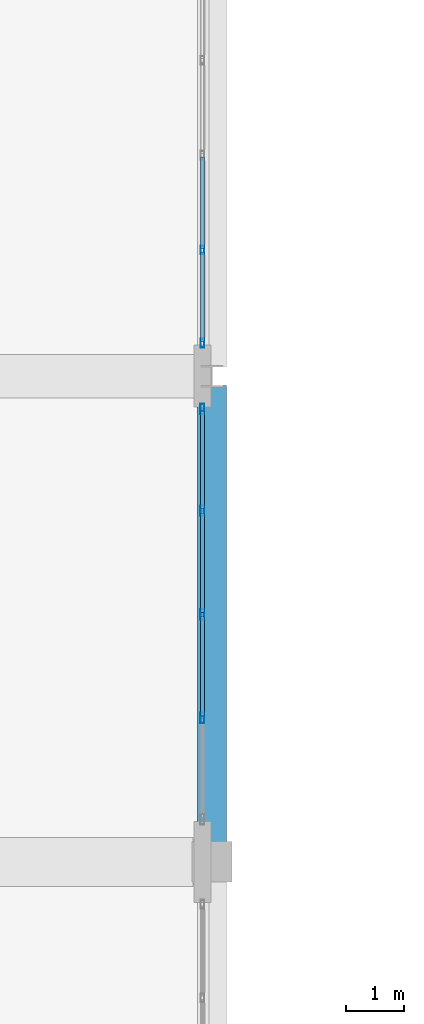
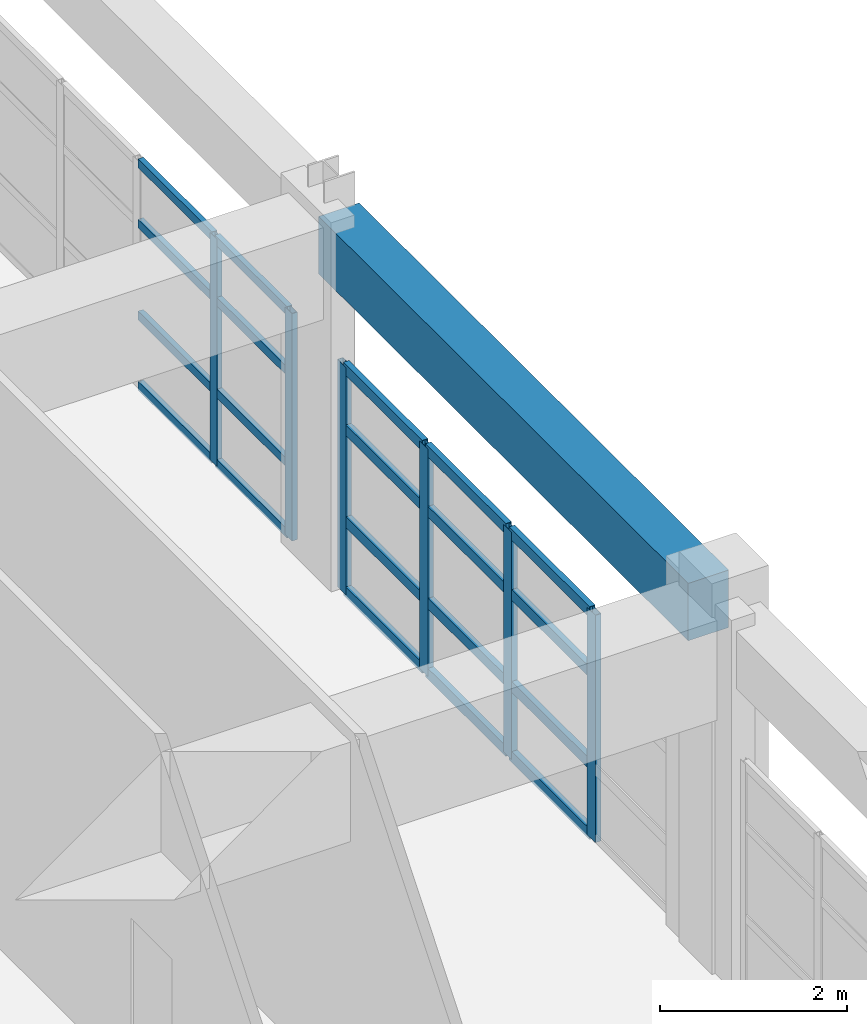
# One storey, part 16 of 103: 26 members, 1 beam, 2 elements without a shape of their own.
"""IFC4 building model written with IfcOpenShell, lengths in metres."""

import ifcopenshell
import ifcopenshell.guid

model = None  # the IFC model being written
_history = None  # IfcOwnerHistory: only IFC2X3 demands one
_inside = {}  # id of a spatial element -> (the spatial element, [elements in it])
_under = {}  # id of a project, library or spatial element -> (it, [spatial elements below it])
_declared = {}  # id of a project -> (the project, [libraries it declares])
_typed = {}  # id of a type object -> (the type object, [elements of that type])
_made_of = {}  # id of a material, layer set ... -> (it, [elements and type objects made of it])


def new_model(schema):
    """Start an empty IFC model of exactly this schema.

    Asked for "IFC4X3", IfcOpenShell would pick the latest addendum, in which some entities
    have other attributes; the version numbers below select the first issue.
    IFC2X3 requires an IfcOwnerHistory on every rooted entity: one is made here for all.
    """
    global model, _history
    if schema == "IFC4X3":
        model = ifcopenshell.file(schema_version=(4, 3, 0, 0))
    else:
        model = ifcopenshell.file(schema=schema)
    _inside.clear()
    _under.clear()
    _declared.clear()
    _typed.clear()
    _made_of.clear()
    _history = None
    if model.schema == "IFC2X3":
        org = make("IfcOrganization", Name="unknown")
        user = make(
            "IfcPersonAndOrganization",
            ThePerson=make("IfcPerson", FamilyName="unknown"),
            TheOrganization=org,
        )
        app = make(
            "IfcApplication",
            ApplicationDeveloper=org,
            Version="unknown",
            ApplicationFullName="unknown",
            ApplicationIdentifier="unknown",
        )
        _history = make(
            "IfcOwnerHistory",
            OwningUser=user,
            OwningApplication=app,
            ChangeAction="ADDED",
            CreationDate=0,
        )
    return model


def make(cls, **values):
    """One entity of the class cls with the attributes given. An attribute that is None is left unset."""
    return model.create_entity(
        cls, **{name: value for name, value in values.items() if value is not None}
    )


def rooted(cls, **values):
    """An entity with a GlobalId (a new one), such as an element, a storey or a relation."""
    return make(cls, GlobalId=ifcopenshell.guid.new(), OwnerHistory=_history, **values)


def si_unit(unit_type, name, prefix=None):
    """IfcSIUnit, for example si_unit("LENGTHUNIT", "METRE", prefix="MILLI")."""
    return make("IfcSIUnit", UnitType=unit_type, Prefix=prefix, Name=name)


def assignment(units):
    """IfcUnitAssignment: the units of a project."""
    return None if units is None else make("IfcUnitAssignment", Units=units)


def point(xyz):
    """IfcCartesianPoint."""
    return None if xyz is None else make("IfcCartesianPoint", Coordinates=xyz)


def direction(xyz):
    """IfcDirection."""
    return None if xyz is None else make("IfcDirection", DirectionRatios=xyz)


def frame(location, z_axis=None, x_axis=None):
    """IfcAxis2Placement3D, a coordinate frame: its origin and axes. An axis left out is left unset."""
    return make(
        "IfcAxis2Placement3D",
        Location=point(location),
        Axis=direction(z_axis),
        RefDirection=direction(x_axis),
    )


def frame_2d(location, x_axis=None):
    """IfcAxis2Placement2D, a coordinate frame in the plane: its origin and x axis."""
    return make(
        "IfcAxis2Placement2D", Location=point(location), RefDirection=direction(x_axis)
    )


def origin():
    """The frame at (0, 0, 0) with its axes left unset."""
    return frame((0.0, 0.0, 0.0))


def origin_2d():
    """The frame at (0, 0) in the plane with its x axis left unset."""
    return frame_2d((0.0, 0.0))


def place(relative_to, where):
    """IfcLocalPlacement: puts the frame where relative to a parent placement (None: the world)."""
    return make(
        "IfcLocalPlacement", PlacementRelTo=relative_to, RelativePlacement=where
    )


def context(
    kind, dimensions, precision=None, world=None, true_north=None, identifier=None
):
    """IfcGeometricRepresentationContext, for example the 3D "Model" context."""
    return make(
        "IfcGeometricRepresentationContext",
        ContextIdentifier=identifier,
        ContextType=kind,
        CoordinateSpaceDimension=dimensions,
        Precision=precision,
        WorldCoordinateSystem=world,
        TrueNorth=true_north,
    )


def subcontext(parent, identifier, kind, view, scale=None):
    """IfcGeometricRepresentationSubContext, for example "Body" below "Model"."""
    return make(
        "IfcGeometricRepresentationSubContext",
        ContextIdentifier=identifier,
        ContextType=kind,
        ParentContext=parent,
        TargetScale=scale,
        TargetView=view,
    )


def project(units=None, contexts=None):
    """IfcProject with its units and contexts."""
    return rooted(
        "IfcProject",
        Name="project",
        RepresentationContexts=contexts,
        UnitsInContext=assignment(units),
    )


def spatial(cls, under=None, at=None, **own):
    """A site, building, storey or space (cls), placed at a placement, below another one or the project."""
    s = rooted(cls, ObjectPlacement=at, **own)
    if under is not None:
        _under.setdefault(under.id(), (under, []))[1].append(s)
    return s


def profile(cls, at=None, kind="AREA", **sizes):
    """A parametric profile (cls). Its sizes go by their IFC names, for example OverallWidth=200.0."""
    return make(cls, ProfileType=kind, Position=at, **sizes)


def rectangle(**sizes):
    """IfcRectangleProfileDef."""
    return profile("IfcRectangleProfileDef", **sizes)


def hollow_rectangle(**sizes):
    """IfcRectangleHollowProfileDef."""
    return profile("IfcRectangleHollowProfileDef", **sizes)


def extrude(swept, where, along, depth):
    """IfcExtrudedAreaSolid: the profile swept, set in the frame where, extruded along a direction by depth."""
    return make(
        "IfcExtrudedAreaSolid",
        SweptArea=swept,
        Position=where,
        ExtrudedDirection=direction(along),
        Depth=depth,
    )


def shape(context_of_items, identifier, shape_type, items):
    """IfcShapeRepresentation: the items that make up one representation, for example the "Body"."""
    return make(
        "IfcShapeRepresentation",
        ContextOfItems=context_of_items,
        RepresentationIdentifier=identifier,
        RepresentationType=shape_type,
        Items=items,
    )


def material(Name=None, Category=None):
    """IfcMaterial."""
    return make("IfcMaterial", Name=Name, Category=Category)


def layer(
    of_material, thickness, ventilated=None, Name=None, Category=None, Priority=None
):
    """IfcMaterialLayer: one layer of a wall or slab, of a material (None: an air gap)."""
    return make(
        "IfcMaterialLayer",
        Material=of_material,
        LayerThickness=thickness,
        IsVentilated=ventilated,
        Name=Name,
        Category=Category,
        Priority=Priority,
    )


def layer_set(layers, Name=None):
    """IfcMaterialLayerSet."""
    return make("IfcMaterialLayerSet", MaterialLayers=layers, LayerSetName=Name)


def material_profile(
    of_material, cross_section, Name=None, Category=None, Priority=None
):
    """IfcMaterialProfile: a cross section and its material."""
    return make(
        "IfcMaterialProfile",
        Name=Name,
        Material=of_material,
        Profile=cross_section,
        Priority=Priority,
        Category=Category,
    )


def profile_set(profiles, Name=None, composite=None):
    """IfcMaterialProfileSet."""
    return make(
        "IfcMaterialProfileSet",
        Name=Name,
        MaterialProfiles=profiles,
        CompositeProfile=composite,
    )


def made_of(thing, what):
    """Note that an element or type object is made of a material, layer set ...; save() writes the relation."""
    if what is not None:
        _made_of.setdefault(what.id(), (what, []))[1].append(thing)
    return thing


def type_object(cls, material=None, **own):
    """A type object (cls), such as IfcWallType, which elements share."""
    return made_of(rooted(cls, **own), material)


def element(
    cls,
    number,
    at=None,
    inside=None,
    cuts=None,
    type_object=None,
    material=None,
    context=None,
    identifier="Body",
    shape_type=None,
    held_by="IfcProductDefinitionShape",
    body=None,
    shapes=None,
    **own,
):
    """One element of the class cls, such as IfcWall. Its Tag is "e" and its number.

    at: its placement. inside: the storey or other place that contains it. cuts: it is an
    opening in that element (IfcRelVoidsElement). A single representation is given by context,
    identifier, shape_type and body (its items); several are given by shapes. held_by: the class
    of the entity that holds the representations. save() writes the other relations.
    """
    e = rooted(cls, Tag="e%d" % number, ObjectPlacement=at, **own)
    if body is not None:
        shapes = [shape(context, identifier, shape_type, body)]
    if shapes is not None:
        e.Representation = make(held_by, Representations=shapes)
    if inside is not None:
        _inside.setdefault(inside.id(), (inside, []))[1].append(e)
    if cuts is not None:
        rooted(
            "IfcRelVoidsElement", RelatingBuildingElement=cuts, RelatedOpeningElement=e
        )
    if type_object is not None:
        _typed.setdefault(type_object.id(), (type_object, []))[1].append(e)
    return made_of(e, material)


def aggregate(whole, parts):
    """IfcRelAggregates: a whole, such as a stair, and the parts it consists of."""
    return rooted("IfcRelAggregates", RelatingObject=whole, RelatedObjects=parts)


def save(model, path):
    """Write the relations noted so far, then the file.

    IfcRelAggregates (storeys below a building ...), IfcRelContainedInSpatialStructure (elements
    in a storey), IfcRelDefinesByType, IfcRelAssociatesMaterial and IfcRelDeclares: one each for
    every whole, place, type object, material and project.
    """
    for whole, parts in _under.values():
        aggregate(whole, parts)
    for where, things in _inside.values():
        rooted(
            "IfcRelContainedInSpatialStructure",
            RelatedElements=things,
            RelatingStructure=where,
        )
    for kind, things in _typed.values():
        rooted("IfcRelDefinesByType", RelatedObjects=things, RelatingType=kind)
    for what, things in _made_of.values():
        rooted("IfcRelAssociatesMaterial", RelatedObjects=things, RelatingMaterial=what)
    for by, libraries in _declared.values():
        rooted("IfcRelDeclares", RelatingContext=by, RelatedDefinitions=libraries)
    model.write(path)


model = new_model("IFC4")

# Units and contexts
model_context = context("Model", 3, precision=1e-05, world=origin(), true_north=direction((0.0, 1.0)))
body_context = subcontext(model_context, "Body", "Model", "MODEL_VIEW")
ifc_project = project(units=[si_unit("LENGTHUNIT", "METRE"), si_unit("AREAUNIT", "SQUARE_METRE"), si_unit("VOLUMEUNIT", "CUBIC_METRE"), si_unit("PLANEANGLEUNIT", "RADIAN"), si_unit("MASSUNIT", "GRAM", prefix="KILO")], contexts=[model_context])

# Site, building, storey
site_placement = place(None, origin())
site = spatial("IfcSite", under=ifc_project, at=site_placement, CompositionType="ELEMENT")
building_placement = place(site_placement, origin())
building = spatial("IfcBuilding", under=site, at=building_placement, Name="Quendrovan Civic Courthouse", CompositionType="ELEMENT")
storey_placement = place(building_placement, frame((0.0, 0.0, 15.300048828125)))
storey = spatial("IfcBuildingStorey", under=building, at=storey_placement, Name="L04", CompositionType="ELEMENT", Elevation=15.300048828125)

# Beam
ifc_material_1 = material(Name="Concrete C40/50", Category="concrete")
ifc_material_profile_1 = material_profile(ifc_material_1, rectangle(XDim=0.5, YDim=0.75, at=origin_2d()), Name="RC-BM-500x750")
ifc_profile_set_1 = profile_set([ifc_material_profile_1], Name="Concrete C40/50")
beam_type = type_object("IfcBeamType", Name="BM-RC750", PredefinedType="SPANDREL", material=ifc_profile_set_1)
beam_placement = place(storey_placement, frame((16.800048828125, 31.530029296875, 4.284912109375), z_axis=(0.0, 1.0, 0.0), x_axis=(-1.0, 0.0, 0.0)))
element("IfcBeam", 1, at=beam_placement, inside=storey, type_object=beam_type, Name="L04 Girder Y0955", PredefinedType="SPANDREL", context=body_context, shape_type="SweptSolid", body=[
    extrude(rectangle(XDim=0.5, YDim=0.75, at=origin_2d()), origin(), (0.0, 0.0, 1.0), 7.904052734375),
])

# Curtain wall, members
ifc_material_2 = material(Name="Bronze anodised aluminium and low-E glass", Category="aluminium")
ifc_layer_1 = layer(ifc_material_2, 0.179931640625, Name="Bronze anodised aluminium and low-E glass")
ifc_layer_set_1 = layer_set([ifc_layer_1], Name="Bronze anodised aluminium and low-E glass")
curtain_wall_type_1 = type_object("IfcCurtainWallType", Name="CW-U72x30", PredefinedType="USERDEFINED", material=ifc_layer_set_1)
curtain_wall_1_placement = place(storey_placement, origin())
curtain_wall_1 = element("IfcCurtainWall", 2, at=curtain_wall_1_placement, inside=storey, type_object=curtain_wall_type_1, Name="L04 Unitised Hurricane Curtain Wall CW-152", ObjectType="UNITISED CURTAIN WALL", PredefinedType="USERDEFINED")
ifc_material_3 = material(Name="Bronze anodised aluminium", Category="aluminium")
ifc_material_profile_2 = material_profile(ifc_material_3, hollow_rectangle(XDim=0.070068359375, YDim=0.179931640625, WallThickness=0.00390625, at=origin_2d()), Name="CW-MULL-70x180")
ifc_profile_set_2 = profile_set([ifc_material_profile_2], Name="Bronze anodised aluminium")
member_type_1 = type_object("IfcMemberType", Name="CW-MULL-A", PredefinedType="MULLION", material=ifc_profile_set_2)
member_1_placement = place(storey_placement, frame((16.635009765625, 39.028076171875, 0.0), z_axis=(0.0, 0.0, 1.0), x_axis=(1.0, 0.0, 0.0)))
member_1 = element("IfcMember", 3, at=member_1_placement, type_object=member_type_1, Name="CW-152 mullion 1", PredefinedType="MULLION", context=body_context, shape_type="SweptSolid", body=[
    extrude(hollow_rectangle(XDim=0.070068359375, YDim=0.179931640625, WallThickness=0.00390625, at=origin_2d()), origin(), (0.0, 0.0, 1.0), 2.969970703125),
])
member_2_placement = place(storey_placement, frame((16.635009765625, 37.272216796875, 0.0), z_axis=(0.0, 0.0, 1.0), x_axis=(1.0, 0.0, 0.0)))
member_2 = element("IfcMember", 4, at=member_2_placement, type_object=member_type_1, Name="CW-152 mullion 2", PredefinedType="MULLION", context=body_context, shape_type="SweptSolid", body=[
    extrude(hollow_rectangle(XDim=0.070068359375, YDim=0.179931640625, WallThickness=0.00390625, at=origin_2d()), origin(), (0.0, 0.0, 1.0), 2.969970703125),
])
member_3_placement = place(storey_placement, frame((16.635009765625, 35.4814453125, 0.0), z_axis=(0.0, 0.0, 1.0), x_axis=(1.0, 0.0, 0.0)))
member_3 = element("IfcMember", 5, at=member_3_placement, type_object=member_type_1, Name="CW-152 mullion 3", PredefinedType="MULLION", context=body_context, shape_type="SweptSolid", body=[
    extrude(hollow_rectangle(XDim=0.070068359375, YDim=0.179931640625, WallThickness=0.00390625, at=origin_2d()), origin(), (0.0, 0.0, 1.0), 2.969970703125),
])
member_4_placement = place(storey_placement, frame((16.635009765625, 33.690673828125, 0.0), z_axis=(0.0, 0.0, 1.0), x_axis=(1.0, 0.0, 0.0)))
member_4 = element("IfcMember", 6, at=member_4_placement, type_object=member_type_1, Name="CW-152 mullion 4", PredefinedType="MULLION", context=body_context, shape_type="SweptSolid", body=[
    extrude(hollow_rectangle(XDim=0.070068359375, YDim=0.179931640625, WallThickness=0.00390625, at=origin_2d()), origin(), (0.0, 0.0, 1.0), 2.969970703125),
])

ifc_layer_2 = layer(ifc_material_2, 0.179931640625, Name="Bronze anodised aluminium and low-E glass")
ifc_layer_set_2 = layer_set([ifc_layer_2], Name="Bronze anodised aluminium and low-E glass")
curtain_wall_type_2 = type_object("IfcCurtainWallType", Name="CW-U66x30", PredefinedType="USERDEFINED", material=ifc_layer_set_2)
curtain_wall_2_placement = place(storey_placement, origin())
curtain_wall_2 = element("IfcCurtainWall", 7, at=curtain_wall_2_placement, inside=storey, type_object=curtain_wall_type_2, Name="L04 Unitised Hurricane Curtain Wall CW-151", ObjectType="UNITISED CURTAIN WALL", PredefinedType="USERDEFINED")
ifc_material_profile_3 = material_profile(ifc_material_3, hollow_rectangle(XDim=0.06494140625, YDim=0.14990234375, WallThickness=0.00390625, at=origin_2d()), Name="CW-MULL-65x150")
ifc_profile_set_3 = profile_set([ifc_material_profile_3], Name="Bronze anodised aluminium")
member_type_2 = type_object("IfcMemberType", Name="CW-MULL-B", PredefinedType="MULLION", material=ifc_profile_set_3)
member_5_placement = place(storey_placement, frame((16.635009765625, 41.77783203125, 0.0), z_axis=(0.0, 0.0, 1.0), x_axis=(1.0, 0.0, 0.0)))
member_5 = element("IfcMember", 8, at=member_5_placement, type_object=member_type_2, Name="CW-151 mullion 4", PredefinedType="MULLION", context=body_context, shape_type="SweptSolid", body=[
    extrude(hollow_rectangle(XDim=0.06494140625, YDim=0.14990234375, WallThickness=0.00390625, at=origin_2d()), origin(), (0.0, 0.0, 1.0), 2.969970703125),
])
member_6_placement = place(storey_placement, frame((16.635009765625, 40.16943359375, 0.0), z_axis=(0.0, 0.0, 1.0), x_axis=(1.0, 0.0, 0.0)))
member_6 = element("IfcMember", 9, at=member_6_placement, type_object=member_type_2, Name="CW-151 mullion 5", PredefinedType="MULLION", context=body_context, shape_type="SweptSolid", body=[
    extrude(hollow_rectangle(XDim=0.06494140625, YDim=0.14990234375, WallThickness=0.00390625, at=origin_2d()), origin(), (0.0, 0.0, 1.0), 2.969970703125),
])

# Member
ifc_material_profile_4 = material_profile(ifc_material_3, hollow_rectangle(XDim=0.070068359375, YDim=0.139892578125, WallThickness=0.00390625, at=origin_2d()), Name="CW-TRAN-70x140")
ifc_profile_set_4 = profile_set([ifc_material_profile_4], Name="Bronze anodised aluminium")
member_type_3 = type_object("IfcMemberType", Name="CW-TRAN-A", PredefinedType="USERDEFINED", material=ifc_profile_set_4)
member_7_placement = place(storey_placement, frame((16.635009765625, 38.992919921875, 0.034912109375), z_axis=(0.0, -1.0, 0.0), x_axis=(1.0, 0.0, 0.0)))
member_7 = element("IfcMember", 10, at=member_7_placement, type_object=member_type_3, Name="CW-152 transom 1.1", ObjectType="TRANSOM", PredefinedType="USERDEFINED", context=body_context, shape_type="SweptSolid", body=[
    extrude(hollow_rectangle(XDim=0.070068359375, YDim=0.139892578125, WallThickness=0.00390625, at=origin_2d()), origin(), (0.0, 0.0, 1.0), 1.685791015625),
])

member_8_placement = place(storey_placement, frame((16.635009765625, 38.992919921875, 0.949951171875), z_axis=(0.0, -1.0, 0.0), x_axis=(1.0, 0.0, 0.0)))
member_8 = element("IfcMember", 11, at=member_8_placement, type_object=member_type_3, Name="CW-152 transom 1.2", ObjectType="TRANSOM", PredefinedType="USERDEFINED", context=body_context, shape_type="SweptSolid", body=[
    extrude(hollow_rectangle(XDim=0.070068359375, YDim=0.139892578125, WallThickness=0.00390625, at=origin_2d()), origin(), (0.0, 0.0, 1.0), 1.685791015625),
])

member_9_placement = place(storey_placement, frame((16.635009765625, 38.992919921875, 2.14990234375), z_axis=(0.0, -1.0, 0.0), x_axis=(1.0, 0.0, 0.0)))
member_9 = element("IfcMember", 12, at=member_9_placement, type_object=member_type_3, Name="CW-152 transom 1.3", ObjectType="TRANSOM", PredefinedType="USERDEFINED", context=body_context, shape_type="SweptSolid", body=[
    extrude(hollow_rectangle(XDim=0.070068359375, YDim=0.139892578125, WallThickness=0.00390625, at=origin_2d()), origin(), (0.0, 0.0, 1.0), 1.685791015625),
])

member_10_placement = place(storey_placement, frame((16.635009765625, 38.992919921875, 2.93505859375), z_axis=(0.0, -1.0, 0.0), x_axis=(1.0, 0.0, 0.0)))
member_10 = element("IfcMember", 13, at=member_10_placement, type_object=member_type_3, Name="CW-152 transom 1.4", ObjectType="TRANSOM", PredefinedType="USERDEFINED", context=body_context, shape_type="SweptSolid", body=[
    extrude(hollow_rectangle(XDim=0.070068359375, YDim=0.139892578125, WallThickness=0.00390625, at=origin_2d()), origin(), (0.0, 0.0, 1.0), 1.685791015625),
])

member_11_placement = place(storey_placement, frame((16.635009765625, 37.2373046875, 0.034912109375), z_axis=(0.0, -1.0, 0.0), x_axis=(1.0, 0.0, 0.0)))
member_11 = element("IfcMember", 14, at=member_11_placement, type_object=member_type_3, Name="CW-152 transom 2.1", ObjectType="TRANSOM", PredefinedType="USERDEFINED", context=body_context, shape_type="SweptSolid", body=[
    extrude(hollow_rectangle(XDim=0.070068359375, YDim=0.139892578125, WallThickness=0.00390625, at=origin_2d()), origin(), (0.0, 0.0, 1.0), 1.720703125),
])

member_12_placement = place(storey_placement, frame((16.635009765625, 37.2373046875, 0.949951171875), z_axis=(0.0, -1.0, 0.0), x_axis=(1.0, 0.0, 0.0)))
member_12 = element("IfcMember", 15, at=member_12_placement, type_object=member_type_3, Name="CW-152 transom 2.2", ObjectType="TRANSOM", PredefinedType="USERDEFINED", context=body_context, shape_type="SweptSolid", body=[
    extrude(hollow_rectangle(XDim=0.070068359375, YDim=0.139892578125, WallThickness=0.00390625, at=origin_2d()), origin(), (0.0, 0.0, 1.0), 1.720703125),
])

member_13_placement = place(storey_placement, frame((16.635009765625, 37.2373046875, 2.14990234375), z_axis=(0.0, -1.0, 0.0), x_axis=(1.0, 0.0, 0.0)))
member_13 = element("IfcMember", 16, at=member_13_placement, type_object=member_type_3, Name="CW-152 transom 2.3", ObjectType="TRANSOM", PredefinedType="USERDEFINED", context=body_context, shape_type="SweptSolid", body=[
    extrude(hollow_rectangle(XDim=0.070068359375, YDim=0.139892578125, WallThickness=0.00390625, at=origin_2d()), origin(), (0.0, 0.0, 1.0), 1.720703125),
])

member_14_placement = place(storey_placement, frame((16.635009765625, 37.2373046875, 2.93505859375), z_axis=(0.0, -1.0, 0.0), x_axis=(1.0, 0.0, 0.0)))
member_14 = element("IfcMember", 17, at=member_14_placement, type_object=member_type_3, Name="CW-152 transom 2.4", ObjectType="TRANSOM", PredefinedType="USERDEFINED", context=body_context, shape_type="SweptSolid", body=[
    extrude(hollow_rectangle(XDim=0.070068359375, YDim=0.139892578125, WallThickness=0.00390625, at=origin_2d()), origin(), (0.0, 0.0, 1.0), 1.720703125),
])

member_15_placement = place(storey_placement, frame((16.635009765625, 35.446533203125, 0.034912109375), z_axis=(0.0, -1.0, 0.0), x_axis=(1.0, 0.0, 0.0)))
member_15 = element("IfcMember", 18, at=member_15_placement, type_object=member_type_3, Name="CW-152 transom 3.1", ObjectType="TRANSOM", PredefinedType="USERDEFINED", context=body_context, shape_type="SweptSolid", body=[
    extrude(hollow_rectangle(XDim=0.070068359375, YDim=0.139892578125, WallThickness=0.00390625, at=origin_2d()), origin(), (0.0, 0.0, 1.0), 1.720703125),
])

member_16_placement = place(storey_placement, frame((16.635009765625, 35.446533203125, 0.949951171875), z_axis=(0.0, -1.0, 0.0), x_axis=(1.0, 0.0, 0.0)))
member_16 = element("IfcMember", 19, at=member_16_placement, type_object=member_type_3, Name="CW-152 transom 3.2", ObjectType="TRANSOM", PredefinedType="USERDEFINED", context=body_context, shape_type="SweptSolid", body=[
    extrude(hollow_rectangle(XDim=0.070068359375, YDim=0.139892578125, WallThickness=0.00390625, at=origin_2d()), origin(), (0.0, 0.0, 1.0), 1.720703125),
])

member_17_placement = place(storey_placement, frame((16.635009765625, 35.446533203125, 2.14990234375), z_axis=(0.0, -1.0, 0.0), x_axis=(1.0, 0.0, 0.0)))
member_17 = element("IfcMember", 20, at=member_17_placement, type_object=member_type_3, Name="CW-152 transom 3.3", ObjectType="TRANSOM", PredefinedType="USERDEFINED", context=body_context, shape_type="SweptSolid", body=[
    extrude(hollow_rectangle(XDim=0.070068359375, YDim=0.139892578125, WallThickness=0.00390625, at=origin_2d()), origin(), (0.0, 0.0, 1.0), 1.720703125),
])

member_18_placement = place(storey_placement, frame((16.635009765625, 35.446533203125, 2.93505859375), z_axis=(0.0, -1.0, 0.0), x_axis=(1.0, 0.0, 0.0)))
member_18 = element("IfcMember", 21, at=member_18_placement, type_object=member_type_3, Name="CW-152 transom 3.4", ObjectType="TRANSOM", PredefinedType="USERDEFINED", context=body_context, shape_type="SweptSolid", body=[
    extrude(hollow_rectangle(XDim=0.070068359375, YDim=0.139892578125, WallThickness=0.00390625, at=origin_2d()), origin(), (0.0, 0.0, 1.0), 1.720703125),
])

aggregate(curtain_wall_1, [member_1, member_2, member_3, member_4, member_7, member_8, member_9, member_10, member_11, member_12, member_13, member_14, member_15, member_16, member_17, member_18])

ifc_material_profile_5 = material_profile(ifc_material_3, hollow_rectangle(XDim=0.06494140625, YDim=0.114990234375, WallThickness=0.00390625, at=origin_2d()), Name="CW-TRAN-65x115")
ifc_profile_set_5 = profile_set([ifc_material_profile_5], Name="Bronze anodised aluminium")
member_type_4 = type_object("IfcMemberType", Name="CW-TRAN-B", PredefinedType="USERDEFINED", material=ifc_profile_set_5)
member_19_placement = place(storey_placement, frame((16.635009765625, 43.385986328125, 0.032470703125), z_axis=(0.0, -1.0, 0.0), x_axis=(1.0, 0.0, 0.0)))
member_19 = element("IfcMember", 22, at=member_19_placement, type_object=member_type_4, Name="CW-151 transom 3.1", ObjectType="TRANSOM", PredefinedType="USERDEFINED", context=body_context, shape_type="SweptSolid", body=[
    extrude(hollow_rectangle(XDim=0.06494140625, YDim=0.114990234375, WallThickness=0.00390625, at=origin_2d()), origin(), (0.0, 0.0, 1.0), 1.57568359375),
])

member_20_placement = place(storey_placement, frame((16.635009765625, 43.385986328125, 0.949951171875), z_axis=(0.0, -1.0, 0.0), x_axis=(1.0, 0.0, 0.0)))
member_20 = element("IfcMember", 23, at=member_20_placement, type_object=member_type_4, Name="CW-151 transom 3.2", ObjectType="TRANSOM", PredefinedType="USERDEFINED", context=body_context, shape_type="SweptSolid", body=[
    extrude(hollow_rectangle(XDim=0.06494140625, YDim=0.114990234375, WallThickness=0.00390625, at=origin_2d()), origin(), (0.0, 0.0, 1.0), 1.57568359375),
])

member_21_placement = place(storey_placement, frame((16.635009765625, 43.385986328125, 2.14990234375), z_axis=(0.0, -1.0, 0.0), x_axis=(1.0, 0.0, 0.0)))
member_21 = element("IfcMember", 24, at=member_21_placement, type_object=member_type_4, Name="CW-151 transom 3.3", ObjectType="TRANSOM", PredefinedType="USERDEFINED", context=body_context, shape_type="SweptSolid", body=[
    extrude(hollow_rectangle(XDim=0.06494140625, YDim=0.114990234375, WallThickness=0.00390625, at=origin_2d()), origin(), (0.0, 0.0, 1.0), 1.57568359375),
])

member_22_placement = place(storey_placement, frame((16.635009765625, 43.385986328125, 2.9375), z_axis=(0.0, -1.0, 0.0), x_axis=(1.0, 0.0, 0.0)))
member_22 = element("IfcMember", 25, at=member_22_placement, type_object=member_type_4, Name="CW-151 transom 3.4", ObjectType="TRANSOM", PredefinedType="USERDEFINED", context=body_context, shape_type="SweptSolid", body=[
    extrude(hollow_rectangle(XDim=0.06494140625, YDim=0.114990234375, WallThickness=0.00390625, at=origin_2d()), origin(), (0.0, 0.0, 1.0), 1.57568359375),
])

member_23_placement = place(storey_placement, frame((16.635009765625, 41.745361328125, 0.032470703125), z_axis=(0.0, -1.0, 0.0), x_axis=(1.0, 0.0, 0.0)))
member_23 = element("IfcMember", 26, at=member_23_placement, type_object=member_type_4, Name="CW-151 transom 4.1", ObjectType="TRANSOM", PredefinedType="USERDEFINED", context=body_context, shape_type="SweptSolid", body=[
    extrude(hollow_rectangle(XDim=0.06494140625, YDim=0.114990234375, WallThickness=0.00390625, at=origin_2d()), origin(), (0.0, 0.0, 1.0), 1.54345703125),
])

member_24_placement = place(storey_placement, frame((16.635009765625, 41.745361328125, 0.949951171875), z_axis=(0.0, -1.0, 0.0), x_axis=(1.0, 0.0, 0.0)))
member_24 = element("IfcMember", 27, at=member_24_placement, type_object=member_type_4, Name="CW-151 transom 4.2", ObjectType="TRANSOM", PredefinedType="USERDEFINED", context=body_context, shape_type="SweptSolid", body=[
    extrude(hollow_rectangle(XDim=0.06494140625, YDim=0.114990234375, WallThickness=0.00390625, at=origin_2d()), origin(), (0.0, 0.0, 1.0), 1.54345703125),
])

member_25_placement = place(storey_placement, frame((16.635009765625, 41.745361328125, 2.14990234375), z_axis=(0.0, -1.0, 0.0), x_axis=(1.0, 0.0, 0.0)))
member_25 = element("IfcMember", 28, at=member_25_placement, type_object=member_type_4, Name="CW-151 transom 4.3", ObjectType="TRANSOM", PredefinedType="USERDEFINED", context=body_context, shape_type="SweptSolid", body=[
    extrude(hollow_rectangle(XDim=0.06494140625, YDim=0.114990234375, WallThickness=0.00390625, at=origin_2d()), origin(), (0.0, 0.0, 1.0), 1.54345703125),
])

member_26_placement = place(storey_placement, frame((16.635009765625, 41.745361328125, 2.9375), z_axis=(0.0, -1.0, 0.0), x_axis=(1.0, 0.0, 0.0)))
member_26 = element("IfcMember", 29, at=member_26_placement, type_object=member_type_4, Name="CW-151 transom 4.4", ObjectType="TRANSOM", PredefinedType="USERDEFINED", context=body_context, shape_type="SweptSolid", body=[
    extrude(hollow_rectangle(XDim=0.06494140625, YDim=0.114990234375, WallThickness=0.00390625, at=origin_2d()), origin(), (0.0, 0.0, 1.0), 1.54345703125),
])

aggregate(curtain_wall_2, [member_5, member_6, member_19, member_20, member_21, member_22, member_23, member_24, member_25, member_26])

save(model, "model.ifc")
